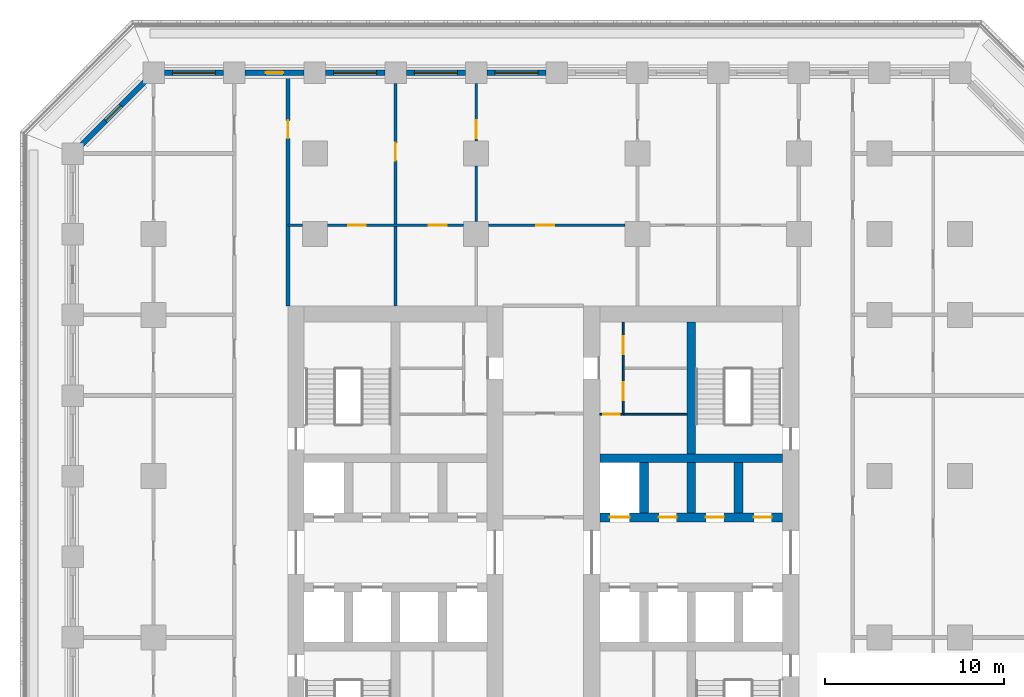
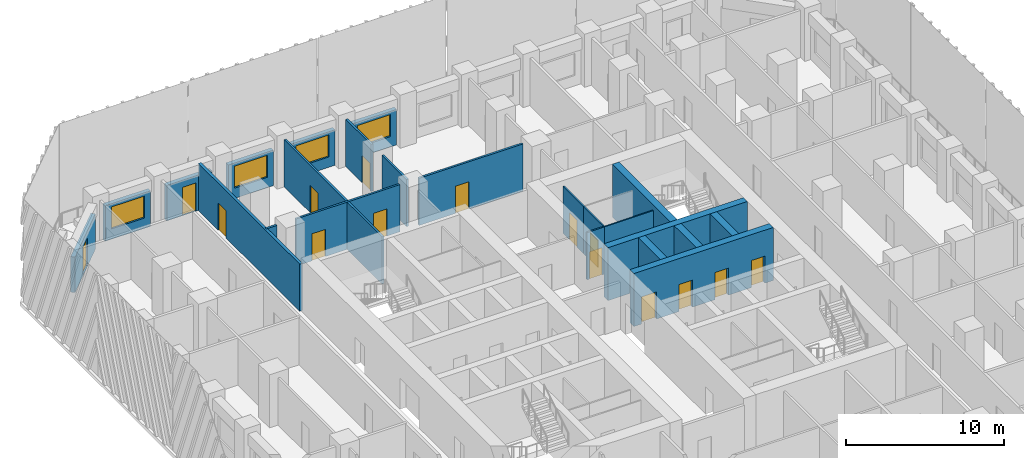
# One storey, part 8 of 20: 23 walls, 15 doors, 4 windows, 19 openings.
"""IFC4 building model written with IfcOpenShell, lengths in metres."""

from ifc_helpers import new_model, si_unit, direction, frame, frame_2d, origin, place, context, subcontext, project, spatial, rectangle, extrude, material, layer, layer_set, type_object, element, fill, save


model = new_model("IFC4")

# Units and contexts
model_context = context("Model", 3, precision=1e-05, world=origin(), true_north=direction((0.0, 1.0)))
body_context = subcontext(model_context, "Body", "Model", "MODEL_VIEW")
ifc_project = project(units=[si_unit("LENGTHUNIT", "METRE"), si_unit("AREAUNIT", "SQUARE_METRE"), si_unit("VOLUMEUNIT", "CUBIC_METRE"), si_unit("PLANEANGLEUNIT", "RADIAN"), si_unit("MASSUNIT", "GRAM", prefix="KILO")], contexts=[model_context])

# Site, building, storey
site_placement = place(None, origin())
site = spatial("IfcSite", under=ifc_project, at=site_placement, CompositionType="ELEMENT")
building_placement = place(site_placement, origin())
building = spatial("IfcBuilding", under=site, at=building_placement, Name="Corbel Stack Research Tower", CompositionType="ELEMENT")
storey_placement = place(building_placement, frame((0.0, 0.0, 98.39990234375)))
storey = spatial("IfcBuildingStorey", under=building, at=storey_placement, Name="L22", CompositionType="ELEMENT", Elevation=98.39990234375)

# Wall, openings, doors
ifc_material_1 = material(Name="Concrete C70/85", Category="concrete")
ifc_layer_1 = layer(ifc_material_1, 0.5)
ifc_layer_set_1 = layer_set([ifc_layer_1], Name="Concrete C70/85")
wall_type_1 = type_object("IfcWallType", Name="CW-500-70", PredefinedType="SHEAR", material=ifc_layer_set_1)
wall_1_placement = place(storey_placement, frame((6.89990234375, 6.699951171875, 0.0), z_axis=(0.0, 0.0, 1.0), x_axis=(1.0, 0.0, 0.0)))
wall_1 = element("IfcWall", 1, at=wall_1_placement, inside=storey, type_object=wall_type_1, Name="East core wall, lobby north L22", PredefinedType="SHEAR", context=body_context, shape_type="SweptSolid", body=[
    extrude(rectangle(XDim=10.2001953125, YDim=0.5, at=frame_2d((5.10009765625, 0.0))), origin(), (0.0, 0.0, 1.0), 4.10009765625),
])
opening_1_placement = place(wall_1_placement, frame((0.5625, 0.0, 0.0)))
opening_1 = element("IfcOpeningElement", 2, at=opening_1_placement, cuts=wall_1, Name="Opening LD-LR4", PredefinedType="OPENING", context=body_context, shape_type="SweptSolid", body=[
    extrude(rectangle(XDim=1.10009765625, YDim=2.10009765625, at=frame_2d((0.550048828125, 1.050048828125))), frame((0.0, 0.260009765625, 0.0), z_axis=(0.0, -1.0, 0.0), x_axis=(1.0, 0.0, 0.0)), (0.0, 0.0, 1.0), 0.52001953125),
])
opening_2_placement = place(wall_1_placement, frame((3.28759765625, 0.0, 0.0)))
opening_2 = element("IfcOpeningElement", 3, at=opening_2_placement, cuts=wall_1, Name="Opening CR-E24-N2", PredefinedType="OPENING", context=body_context, shape_type="SweptSolid", body=[
    extrude(rectangle(XDim=1.0, YDim=2.10009765625, at=frame_2d((0.5, 1.050048828125))), frame((0.0, 0.260009765625, 0.0), z_axis=(0.0, -1.0, 0.0), x_axis=(1.0, 0.0, 0.0)), (0.0, 0.0, 1.0), 0.52001953125),
])
opening_3_placement = place(wall_1_placement, frame((5.91259765625, 0.0, 0.0)))
opening_3 = element("IfcOpeningElement", 4, at=opening_3_placement, cuts=wall_1, Name="Opening CR-E24-N3", PredefinedType="OPENING", context=body_context, shape_type="SweptSolid", body=[
    extrude(rectangle(XDim=1.0, YDim=2.10009765625, at=frame_2d((0.5, 1.050048828125))), frame((0.0, 0.260009765625, 0.0), z_axis=(0.0, -1.0, 0.0), x_axis=(1.0, 0.0, 0.0)), (0.0, 0.0, 1.0), 0.52001953125),
])
opening_4_placement = place(wall_1_placement, frame((8.58740234375, 0.0, 0.0)))
opening_4 = element("IfcOpeningElement", 5, at=opening_4_placement, cuts=wall_1, Name="Opening CR-E24-N4", PredefinedType="OPENING", context=body_context, shape_type="SweptSolid", body=[
    extrude(rectangle(XDim=1.0, YDim=2.10009765625, at=frame_2d((0.5, 1.050048828125))), frame((0.0, 0.260009765625, 0.0), z_axis=(0.0, -1.0, 0.0), x_axis=(1.0, 0.0, 0.0)), (0.0, 0.0, 1.0), 0.52001953125),
])
ifc_material_2 = material(Name="Stainless steel landing door", Category="steel")
door_type_1 = type_object("IfcDoorType", Name="Lift landing door 1100 x 2100", OperationType="DOUBLE_DOOR_SLIDING", PredefinedType="DOOR", material=ifc_material_2)
door_1_placement = place(opening_1_placement, origin())
door_1 = element("IfcDoor", 6, at=door_1_placement, inside=storey, type_object=door_type_1, Name="Landing door LR4", OperationType="DOUBLE_DOOR_SLIDING", OverallHeight=2.10009765625, OverallWidth=1.10009765625, PredefinedType="DOOR", context=body_context, shape_type="SweptSolid", body=[
    extrude(rectangle(XDim=1.10009765625, YDim=2.10009765625, at=frame_2d((0.550048828125, 1.050048828125))), frame((0.0, 0.02490234375, 0.0), z_axis=(0.0, -1.0, 0.0), x_axis=(1.0, 0.0, 0.0)), (0.0, 0.0, 1.0), 0.050048828125),
])
fill(opening_1, door_1)
ifc_material_3 = material(Name="Painted steel door", Category="steel")
door_type_2 = type_object("IfcDoorType", Name="Service door 1000 x 2100 FD60 left hand", OperationType="SINGLE_SWING_LEFT", PredefinedType="DOOR", material=ifc_material_3)
door_2_placement = place(opening_3_placement, origin())
door_2 = element("IfcDoor", 7, at=door_2_placement, inside=storey, type_object=door_type_2, Name="Electrical room door E core", OperationType="SINGLE_SWING_LEFT", OverallHeight=2.10009765625, OverallWidth=1.0, PredefinedType="DOOR", context=body_context, shape_type="SweptSolid", body=[
    extrude(rectangle(XDim=1.0, YDim=2.10009765625, at=frame_2d((0.5, 1.050048828125))), frame((0.0, 0.02490234375, 0.0), z_axis=(0.0, -1.0, 0.0), x_axis=(1.0, 0.0, 0.0)), (0.0, 0.0, 1.0), 0.050048828125),
])
fill(opening_3, door_2)
ifc_material_4 = material(Name="Painted steel door", Category="steel")
door_type_3 = type_object("IfcDoorType", Name="Service door 1000 x 2100 FD60 right hand", OperationType="SINGLE_SWING_RIGHT", PredefinedType="DOOR", material=ifc_material_4)
door_3_placement = place(opening_2_placement, origin())
door_3 = element("IfcDoor", 8, at=door_3_placement, inside=storey, type_object=door_type_3, Name="Records store door E core", OperationType="SINGLE_SWING_RIGHT", OverallHeight=2.10009765625, OverallWidth=1.0, PredefinedType="DOOR", context=body_context, shape_type="SweptSolid", body=[
    extrude(rectangle(XDim=1.0, YDim=2.10009765625, at=frame_2d((0.5, 1.050048828125))), frame((0.0, 0.02490234375, 0.0), z_axis=(0.0, -1.0, 0.0), x_axis=(1.0, 0.0, 0.0)), (0.0, 0.0, 1.0), 0.050048828125),
])
fill(opening_2, door_3)
door_4_placement = place(opening_4_placement, origin())
door_4 = element("IfcDoor", 9, at=door_4_placement, inside=storey, type_object=door_type_3, Name="Pantry door E core", OperationType="SINGLE_SWING_RIGHT", OverallHeight=2.10009765625, OverallWidth=1.0, PredefinedType="DOOR", context=body_context, shape_type="SweptSolid", body=[
    extrude(rectangle(XDim=1.0, YDim=2.10009765625, at=frame_2d((0.5, 1.050048828125))), frame((0.0, 0.02490234375, 0.0), z_axis=(0.0, -1.0, 0.0), x_axis=(1.0, 0.0, 0.0)), (0.0, 0.0, 1.0), 0.050048828125),
])
fill(opening_4, door_4)

# Walls
wall_2_placement = place(storey_placement, frame((6.89990234375, 10.0, 0.0), z_axis=(0.0, 0.0, 1.0), x_axis=(1.0, 0.0, 0.0)))
element("IfcWall", 10, at=wall_2_placement, inside=storey, type_object=wall_type_1, Name="East core wall, north row back L22", PredefinedType="SHEAR", context=body_context, shape_type="SweptSolid", body=[
    extrude(rectangle(XDim=10.2001953125, YDim=0.5, at=frame_2d((5.10009765625, 0.0))), origin(), (0.0, 0.0, 1.0), 4.10009765625),
])
for number, where, z_axis, x_axis, name in (
    (11, (9.375, 6.949951171875, 0.0), (0.0, 0.0, 1.0), (0.0, 1.0, 0.0), "East core wall, north shaft 1 L22"),
    (12, (12.0, 6.949951171875, 0.0), (0.0, 0.0, 1.0), (0.0, 1.0, 0.0), "East core wall, north shaft 2 L22"),
    (13, (14.625, 6.949951171875, 0.0), (0.0, 0.0, 1.0), (0.0, 1.0, 0.0), "East core wall, north shaft 3 L22"),
):
    element("IfcWall", number, at=place(storey_placement, frame(where, z_axis=z_axis, x_axis=x_axis)), inside=storey, type_object=wall_type_1, Name=name, PredefinedType="SHEAR", context=body_context, shape_type="SweptSolid", body=[
        extrude(rectangle(XDim=2.800048828125, YDim=0.5, at=frame_2d((1.39990234375, 0.0))), origin(), (0.0, 0.0, 1.0), 4.10009765625),
    ])
wall_3_placement = place(storey_placement, frame((12.0, 10.25, 0.0), z_axis=(0.0, 0.0, 1.0), x_axis=(0.0, 1.0, 0.0)))
element("IfcWall", 14, at=wall_3_placement, inside=storey, type_object=wall_type_1, Name="East core wall, north stair and riser L22", PredefinedType="SHEAR", context=body_context, shape_type="SweptSolid", body=[
    extrude(rectangle(XDim=7.35009765625, YDim=0.5, at=frame_2d((3.675048828125, 0.0))), origin(), (0.0, 0.0, 1.0), 4.10009765625),
])

# Wall, opening, door
ifc_material_5 = material(Name="Gypsum board")
ifc_layer_2 = layer(ifc_material_5, 0.10009765625)
ifc_layer_set_2 = layer_set([ifc_layer_2], Name="Gypsum board")
wall_type_2 = type_object("IfcWallType", Name="Core partition 100", PredefinedType="PARTITIONING", material=ifc_layer_set_2)
wall_4_placement = place(storey_placement, frame((6.89990234375, 12.455078125, 0.0), z_axis=(0.0, 0.0, 1.0), x_axis=(1.0, 0.0, 0.0)))
wall_4 = element("IfcWall", 15, at=wall_4_placement, inside=storey, type_object=wall_type_2, Name="Core partition E", PredefinedType="PARTITIONING", context=body_context, shape_type="SweptSolid", body=[
    extrude(rectangle(XDim=1.300048828125, YDim=0.10009765625, at=frame_2d((0.64990234375, 0.0))), origin(), (0.0, 0.0, 1.0), 3.650146484375),
])
opening_5_placement = place(wall_4_placement, frame((0.199951171875, 0.0, 0.0)))
opening_5 = element("IfcOpeningElement", 16, at=opening_5_placement, cuts=wall_4, Name="Opening CR-E24-R1-900", PredefinedType="OPENING", context=body_context, shape_type="SweptSolid", body=[
    extrude(rectangle(XDim=0.89990234375, YDim=2.10009765625, at=frame_2d((0.449951171875, 1.050048828125))), frame((0.0, 0.06005859375, 0.0), z_axis=(0.0, -1.0, 0.0), x_axis=(1.0, 0.0, 0.0)), (0.0, 0.0, 1.0), 0.1201171875),
])
ifc_material_6 = material(Name="Painted steel door", Category="steel")
door_type_4 = type_object("IfcDoorType", Name="Riser door 900 x 2100 FD60 right hand", OperationType="SINGLE_SWING_RIGHT", PredefinedType="DOOR", material=ifc_material_6)
door_5_placement = place(opening_5_placement, origin())
door_5 = element("IfcDoor", 17, at=door_5_placement, inside=storey, type_object=door_type_4, Name="Electrical riser door E core", OperationType="SINGLE_SWING_RIGHT", OverallHeight=2.10009765625, OverallWidth=0.89990234375, PredefinedType="DOOR", context=body_context, shape_type="SweptSolid", body=[
    extrude(rectangle(XDim=0.89990234375, YDim=2.10009765625, at=frame_2d((0.449951171875, 1.050048828125))), frame((0.0, 0.02490234375, 0.0), z_axis=(0.0, -1.0, 0.0), x_axis=(1.0, 0.0, 0.0)), (0.0, 0.0, 1.0), 0.050048828125),
])
fill(opening_5, door_5)

# Wall
wall_5_placement = place(storey_placement, frame((8.199951171875, 12.455078125, 0.0), z_axis=(0.0, 0.0, 1.0), x_axis=(1.0, 0.0, 0.0)))
element("IfcWall", 18, at=wall_5_placement, inside=storey, type_object=wall_type_2, Name="Core partition E", PredefinedType="PARTITIONING", context=body_context, shape_type="SweptSolid", body=[
    extrude(rectangle(XDim=3.550048828125, YDim=0.10009765625, at=frame_2d((1.77490234375, 0.0))), origin(), (0.0, 0.0, 1.0), 3.650146484375),
])

# Wall, opening, door
wall_6_placement = place(storey_placement, frame((8.199951171875, 12.455078125, 0.0), z_axis=(0.0, 0.0, 1.0), x_axis=(0.0, 1.0, 0.0)))
wall_6 = element("IfcWall", 19, at=wall_6_placement, inside=storey, type_object=wall_type_2, Name="Core partition E", PredefinedType="PARTITIONING", context=body_context, shape_type="SweptSolid", body=[
    extrude(rectangle(XDim=2.572509765625, YDim=0.10009765625, at=frame_2d((1.2861328125, 0.0))), origin(), (0.0, 0.0, 1.0), 3.650146484375),
])
opening_6_placement = place(wall_6_placement, frame((0.786376953125, 0.0, 0.0)))
opening_6 = element("IfcOpeningElement", 20, at=opening_6_placement, cuts=wall_6, Name="Opening CR-E24-R3-1000", PredefinedType="OPENING", context=body_context, shape_type="SweptSolid", body=[
    extrude(rectangle(XDim=1.0, YDim=2.10009765625, at=frame_2d((0.5, 1.050048828125))), frame((0.0, 0.06005859375, 0.0), z_axis=(0.0, -1.0, 0.0), x_axis=(1.0, 0.0, 0.0)), (0.0, 0.0, 1.0), 0.1201171875),
])
ifc_material_7 = material(Name="Painted steel door", Category="steel")
door_type_5 = type_object("IfcDoorType", Name="Service door 1000 x 2100 FD30 right hand", OperationType="SINGLE_SWING_RIGHT", PredefinedType="DOOR", material=ifc_material_7)
door_6_placement = place(opening_6_placement, origin())
door_6 = element("IfcDoor", 21, at=door_6_placement, inside=storey, type_object=door_type_5, Name="Pantry door E core", OperationType="SINGLE_SWING_RIGHT", OverallHeight=2.10009765625, OverallWidth=1.0, PredefinedType="DOOR", context=body_context, shape_type="SweptSolid", body=[
    extrude(rectangle(XDim=1.0, YDim=2.10009765625, at=frame_2d((0.5, 1.050048828125))), frame((0.0, 0.02490234375, 0.0), z_axis=(0.0, -1.0, 0.0), x_axis=(1.0, 0.0, 0.0)), (0.0, 0.0, 1.0), 0.050048828125),
])
fill(opening_6, door_6)

wall_7_placement = place(storey_placement, frame((8.199951171875, 15.027587890625, 0.0), z_axis=(0.0, 0.0, 1.0), x_axis=(0.0, 1.0, 0.0)))
wall_7 = element("IfcWall", 22, at=wall_7_placement, inside=storey, type_object=wall_type_2, Name="Core partition E", PredefinedType="PARTITIONING", context=body_context, shape_type="SweptSolid", body=[
    extrude(rectangle(XDim=2.572509765625, YDim=0.10009765625, at=frame_2d((1.2861328125, 0.0))), origin(), (0.0, 0.0, 1.0), 3.650146484375),
])
opening_7_placement = place(wall_7_placement, frame((0.7861328125, 0.0, 0.0)))
opening_7 = element("IfcOpeningElement", 23, at=opening_7_placement, cuts=wall_7, Name="Opening CR-E24-R4-1000", PredefinedType="OPENING", context=body_context, shape_type="SweptSolid", body=[
    extrude(rectangle(XDim=1.0, YDim=2.10009765625, at=frame_2d((0.5, 1.050048828125))), frame((0.0, 0.06005859375, 0.0), z_axis=(0.0, -1.0, 0.0), x_axis=(1.0, 0.0, 0.0)), (0.0, 0.0, 1.0), 0.1201171875),
])
ifc_material_8 = material(Name="Painted steel door", Category="steel")
door_type_6 = type_object("IfcDoorType", Name="Service door 1000 x 2100 FD30 left hand", OperationType="SINGLE_SWING_LEFT", PredefinedType="DOOR", material=ifc_material_8)
door_7_placement = place(opening_7_placement, origin())
door_7 = element("IfcDoor", 24, at=door_7_placement, inside=storey, type_object=door_type_6, Name="Copy and supply store door E core", OperationType="SINGLE_SWING_LEFT", OverallHeight=2.10009765625, OverallWidth=1.0, PredefinedType="DOOR", context=body_context, shape_type="SweptSolid", body=[
    extrude(rectangle(XDim=1.0, YDim=2.10009765625, at=frame_2d((0.5, 1.050048828125))), frame((0.0, 0.02490234375, 0.0), z_axis=(0.0, -1.0, 0.0), x_axis=(1.0, 0.0, 0.0)), (0.0, 0.0, 1.0), 0.050048828125),
])
fill(opening_7, door_7)

ifc_material_9 = material(Name="Fire-rated gypsum board partition on steel studs", Category="steel")
ifc_layer_3 = layer(ifc_material_9, 0.14990234375)
ifc_layer_set_3 = layer_set([ifc_layer_3], Name="Fire-rated gypsum board partition on steel studs")
wall_type_3 = type_object("IfcWallType", Name="Fire-rated partition 150 EI 60", PredefinedType="PARTITIONING", material=ifc_layer_set_3)
wall_8_placement = place(storey_placement, frame((-4.5, 30.89990234375, 0.0), z_axis=(0.0, 0.0, 1.0), x_axis=(0.0, -1.0, 0.0)))
wall_8 = element("IfcWall", 25, at=wall_8_placement, inside=storey, type_object=wall_type_3, Name="Partition L22-011", PredefinedType="PARTITIONING", context=body_context, shape_type="SweptSolid", body=[
    extrude(rectangle(XDim=12.39990234375, YDim=0.14990234375, at=frame_2d((6.199951171875, 0.0))), origin(), (0.0, 0.0, 1.0), 3.650146484375),
])
opening_8_placement = place(wall_8_placement, frame((3.300048828125, 0.0, 0.0)))
opening_8 = element("IfcOpeningElement", 26, at=opening_8_placement, cuts=wall_8, Name="Opening B3V2-026", PredefinedType="OPENING", context=body_context, shape_type="SweptSolid", body=[
    extrude(rectangle(XDim=1.0, YDim=2.10009765625, at=frame_2d((0.5, 1.050048828125))), frame((0.0, 0.0849609375, 0.0), z_axis=(0.0, -1.0, 0.0), x_axis=(1.0, 0.0, 0.0)), (0.0, 0.0, 1.0), 0.169921875),
])
ifc_material_10 = material(Name="Painted steel fire door", Category="steel")
door_type_7 = type_object("IfcDoorType", Name="Fire door FD30S 1000 x 2100", OperationType="NOTDEFINED", PredefinedType="DOOR", material=ifc_material_10)
door_8_placement = place(opening_8_placement, origin())
door_8 = element("IfcDoor", 27, at=door_8_placement, inside=storey, type_object=door_type_7, Name="Door B3V2-026", OperationType="SINGLE_SWING_LEFT", OverallHeight=2.10009765625, OverallWidth=1.0, PredefinedType="DOOR", context=body_context, shape_type="SweptSolid", body=[
    extrude(rectangle(XDim=1.0, YDim=2.10009765625, at=frame_2d((0.5, 1.050048828125))), frame((0.0, 0.02490234375, 0.0), z_axis=(0.0, -1.0, 0.0), x_axis=(1.0, 0.0, 0.0)), (0.0, 0.0, 1.0), 0.050048828125),
])
fill(opening_8, door_8)

wall_9_placement = place(storey_placement, frame((0.0, 30.89990234375, 0.0), z_axis=(0.0, 0.0, 1.0), x_axis=(0.0, -1.0, 0.0)))
wall_9 = element("IfcWall", 28, at=wall_9_placement, inside=storey, type_object=wall_type_3, Name="Partition L22-014", PredefinedType="PARTITIONING", context=body_context, shape_type="SweptSolid", body=[
    extrude(rectangle(XDim=3.199951171875, YDim=0.14990234375, at=frame_2d((1.60009765625, 0.0))), origin(), (0.0, 0.0, 1.0), 3.650146484375),
])
opening_9_placement = place(wall_9_placement, frame((2.050048828125, 0.0, 0.0)))
opening_9 = element("IfcOpeningElement", 29, at=opening_9_placement, cuts=wall_9, Name="Opening B3V2-027", PredefinedType="OPENING", context=body_context, shape_type="SweptSolid", body=[
    extrude(rectangle(XDim=1.0, YDim=2.10009765625, at=frame_2d((0.5, 1.050048828125))), frame((0.0, 0.0849609375, 0.0), z_axis=(0.0, -1.0, 0.0), x_axis=(1.0, 0.0, 0.0)), (0.0, 0.0, 1.0), 0.169921875),
])
door_9_placement = place(opening_9_placement, origin())
door_9 = element("IfcDoor", 30, at=door_9_placement, inside=storey, type_object=door_type_7, Name="Door B3V2-027", OperationType="SINGLE_SWING_RIGHT", OverallHeight=2.10009765625, OverallWidth=1.0, PredefinedType="DOOR", context=body_context, shape_type="SweptSolid", body=[
    extrude(rectangle(XDim=1.0, YDim=2.10009765625, at=frame_2d((0.5, 1.050048828125))), frame((0.0, 0.02490234375, 0.0), z_axis=(0.0, -1.0, 0.0), x_axis=(1.0, 0.0, 0.0)), (0.0, 0.0, 1.0), 0.050048828125),
])
fill(opening_9, door_9)

ifc_material_11 = material(Name="Fire-rated gypsum board partition on steel studs", Category="steel")
ifc_layer_4 = layer(ifc_material_11, 0.199951171875)
ifc_layer_set_4 = layer_set([ifc_layer_4], Name="Fire-rated gypsum board partition on steel studs")
wall_type_4 = type_object("IfcWallType", Name="Fire-rated partition 200 EI 60", PredefinedType="PARTITIONING", material=ifc_layer_set_4)
wall_10_placement = place(storey_placement, frame((-10.5, 31.35009765625, 0.0), z_axis=(0.0, 0.0, 1.0), x_axis=(0.0, -1.0, 0.0)))
wall_10 = element("IfcWall", 31, at=wall_10_placement, inside=storey, type_object=wall_type_4, Name="Partition L22-009", PredefinedType="PARTITIONING", context=body_context, shape_type="SweptSolid", body=[
    extrude(rectangle(XDim=12.85009765625, YDim=0.199951171875, at=frame_2d((6.425048828125, 0.0))), origin(), (0.0, 0.0, 1.0), 3.650146484375),
])
opening_10_placement = place(wall_10_placement, frame((2.5, 0.0, 0.0)))
opening_10 = element("IfcOpeningElement", 32, at=opening_10_placement, cuts=wall_10, Name="Opening B3V2-023", PredefinedType="OPENING", context=body_context, shape_type="SweptSolid", body=[
    extrude(rectangle(XDim=1.0, YDim=2.10009765625, at=frame_2d((0.5, 1.050048828125))), frame((0.0, 0.10986328125, 0.0), z_axis=(0.0, -1.0, 0.0), x_axis=(1.0, 0.0, 0.0)), (0.0, 0.0, 1.0), 0.219970703125),
])
door_10_placement = place(opening_10_placement, origin())
door_10 = element("IfcDoor", 33, at=door_10_placement, inside=storey, type_object=door_type_7, Name="Door B3V2-023", OperationType="SINGLE_SWING_LEFT", OverallHeight=2.10009765625, OverallWidth=1.0, PredefinedType="DOOR", context=body_context, shape_type="SweptSolid", body=[
    extrude(rectangle(XDim=1.0, YDim=2.10009765625, at=frame_2d((0.5, 1.050048828125))), frame((0.0, 0.02490234375, 0.0), z_axis=(0.0, -1.0, 0.0), x_axis=(1.0, 0.0, 0.0)), (0.0, 0.0, 1.0), 0.050048828125),
])
fill(opening_10, door_10)

# Walls
ifc_material_12 = material(Name="Gypsum board partition on steel studs", Category="steel")
ifc_layer_5 = layer(ifc_material_12, 0.14990234375)
ifc_layer_set_5 = layer_set([ifc_layer_5], Name="Gypsum board partition on steel studs")
wall_type_5 = type_object("IfcWallType", Name="Partition 150", PredefinedType="PARTITIONING", material=ifc_layer_set_5)
wall_11_placement = place(storey_placement, frame((0.0, 23.199951171875, 0.0), z_axis=(0.0, 0.0, 1.0), x_axis=(0.0, 1.0, 0.0)))
element("IfcWall", 34, at=wall_11_placement, inside=storey, type_object=wall_type_5, Name="Partition L22-013", PredefinedType="PARTITIONING", context=body_context, shape_type="SweptSolid", body=[
    extrude(rectangle(XDim=3.10009765625, YDim=0.14990234375, at=frame_2d((1.550048828125, 0.0))), origin(), (0.0, 0.0, 1.0), 3.650146484375),
])
wall_12_placement = place(storey_placement, frame((-10.5, 23.0, 0.0), z_axis=(0.0, 0.0, 1.0), x_axis=(1.0, 0.0, 0.0)))
element("IfcWall", 35, at=wall_12_placement, inside=storey, type_object=wall_type_5, Name="Partition L22-055", PredefinedType="PARTITIONING", context=body_context, shape_type="SweptSolid", body=[
    extrude(rectangle(XDim=0.800048828125, YDim=0.14990234375, at=frame_2d((0.39990234375, 0.0))), origin(), (0.0, 0.0, 1.0), 3.650146484375),
])

# Wall, openings, doors
wall_13_placement = place(storey_placement, frame((-0.699951171875, 23.0, 0.0), z_axis=(0.0, 0.0, 1.0), x_axis=(-1.0, 0.0, 0.0)))
wall_13 = element("IfcWall", 36, at=wall_13_placement, inside=storey, type_object=wall_type_5, Name="Partition L22-056", PredefinedType="PARTITIONING", context=body_context, shape_type="SweptSolid", body=[
    extrude(rectangle(XDim=7.60009765625, YDim=0.14990234375, at=frame_2d((3.800048828125, 0.0))), origin(), (0.0, 0.0, 1.0), 3.650146484375),
])
opening_11_placement = place(wall_13_placement, frame((5.449951171875, 0.0, 0.0)))
opening_11 = element("IfcOpeningElement", 37, at=opening_11_placement, cuts=wall_13, Name="Opening B3V2-042", PredefinedType="OPENING", context=body_context, shape_type="SweptSolid", body=[
    extrude(rectangle(XDim=1.0, YDim=2.10009765625, at=frame_2d((0.5, 1.050048828125))), frame((0.0, 0.0849609375, 0.0), z_axis=(0.0, -1.0, 0.0), x_axis=(1.0, 0.0, 0.0)), (0.0, 0.0, 1.0), 0.169921875),
])
opening_12_placement = place(wall_13_placement, frame((0.949951171875, 0.0, 0.0)))
opening_12 = element("IfcOpeningElement", 38, at=opening_12_placement, cuts=wall_13, Name="Opening B3V2-043", PredefinedType="OPENING", context=body_context, shape_type="SweptSolid", body=[
    extrude(rectangle(XDim=1.0, YDim=2.10009765625, at=frame_2d((0.5, 1.050048828125))), frame((0.0, 0.0849609375, 0.0), z_axis=(0.0, -1.0, 0.0), x_axis=(1.0, 0.0, 0.0)), (0.0, 0.0, 1.0), 0.169921875),
])
ifc_material_13 = material(Name="Painted timber door", Category="wood")
door_type_8 = type_object("IfcDoorType", Name="Single door 1000 x 2100", OperationType="NOTDEFINED", PredefinedType="DOOR", material=ifc_material_13)
door_11_placement = place(opening_11_placement, origin())
door_11 = element("IfcDoor", 39, at=door_11_placement, inside=storey, type_object=door_type_8, Name="Door B3V2-042", OperationType="SINGLE_SWING_RIGHT", OverallHeight=2.10009765625, OverallWidth=1.0, PredefinedType="DOOR", context=body_context, shape_type="SweptSolid", body=[
    extrude(rectangle(XDim=1.0, YDim=2.10009765625, at=frame_2d((0.5, 1.050048828125))), frame((0.0, 0.02490234375, 0.0), z_axis=(0.0, -1.0, 0.0), x_axis=(1.0, 0.0, 0.0)), (0.0, 0.0, 1.0), 0.050048828125),
])
fill(opening_11, door_11)
door_12_placement = place(opening_12_placement, origin())
door_12 = element("IfcDoor", 40, at=door_12_placement, inside=storey, type_object=door_type_8, Name="Door B3V2-043", OperationType="SINGLE_SWING_LEFT", OverallHeight=2.10009765625, OverallWidth=1.0, PredefinedType="DOOR", context=body_context, shape_type="SweptSolid", body=[
    extrude(rectangle(XDim=1.0, YDim=2.10009765625, at=frame_2d((0.5, 1.050048828125))), frame((0.0, 0.02490234375, 0.0), z_axis=(0.0, -1.0, 0.0), x_axis=(1.0, 0.0, 0.0)), (0.0, 0.0, 1.0), 0.050048828125),
])
fill(opening_12, door_12)

# Wall, opening, door
wall_14_placement = place(storey_placement, frame((8.300048828125, 23.0, 0.0), z_axis=(0.0, 0.0, 1.0), x_axis=(-1.0, 0.0, 0.0)))
wall_14 = element("IfcWall", 41, at=wall_14_placement, inside=storey, type_object=wall_type_5, Name="Partition L22-057", PredefinedType="PARTITIONING", context=body_context, shape_type="SweptSolid", body=[
    extrude(rectangle(XDim=7.60009765625, YDim=0.14990234375, at=frame_2d((3.800048828125, 0.0))), origin(), (0.0, 0.0, 1.0), 3.650146484375),
])
opening_13_placement = place(wall_14_placement, frame((3.949951171875, 0.0, 0.0)))
opening_13 = element("IfcOpeningElement", 42, at=opening_13_placement, cuts=wall_14, Name="Opening B3V2-044", PredefinedType="OPENING", context=body_context, shape_type="SweptSolid", body=[
    extrude(rectangle(XDim=1.0, YDim=2.10009765625, at=frame_2d((0.5, 1.050048828125))), frame((0.0, 0.0849609375, 0.0), z_axis=(0.0, -1.0, 0.0), x_axis=(1.0, 0.0, 0.0)), (0.0, 0.0, 1.0), 0.169921875),
])
door_13_placement = place(opening_13_placement, origin())
door_13 = element("IfcDoor", 43, at=door_13_placement, inside=storey, type_object=door_type_8, Name="Door B3V2-044", OperationType="SINGLE_SWING_RIGHT", OverallHeight=2.10009765625, OverallWidth=1.0, PredefinedType="DOOR", context=body_context, shape_type="SweptSolid", body=[
    extrude(rectangle(XDim=1.0, YDim=2.10009765625, at=frame_2d((0.5, 1.050048828125))), frame((0.0, 0.02490234375, 0.0), z_axis=(0.0, -1.0, 0.0), x_axis=(1.0, 0.0, 0.0)), (0.0, 0.0, 1.0), 0.050048828125),
])
fill(opening_13, door_13)

# Wall, opening, window
ifc_material_14 = material(Name="Concrete C45/55", Category="concrete")
ifc_layer_6 = layer(ifc_material_14, 0.300048828125)
ifc_layer_set_6 = layer_set([ifc_layer_6], Name="Concrete C45/55")
wall_type_6 = type_object("IfcWallType", Name="Terracotta-faced concrete wall 300", PredefinedType="SOLIDWALL", material=ifc_layer_set_6)
wall_15_placement = place(storey_placement, frame((0.60009765625, 31.5, 0.0), z_axis=(0.0, 0.0, 1.0), x_axis=(1.0, 0.0, 0.0)))
wall_15 = element("IfcWall", 44, at=wall_15_placement, inside=storey, type_object=wall_type_6, Name="Facade wall L22 N06", PredefinedType="SOLIDWALL", context=body_context, shape_type="SweptSolid", body=[
    extrude(rectangle(XDim=3.2998046875, YDim=0.300048828125, at=frame_2d((1.64990234375, 0.0))), origin(), (0.0, 0.0, 1.0), 2.75),
])
opening_14_placement = place(wall_15_placement, frame((0.449951171875, 0.0, 0.800048828125)))
opening_14 = element("IfcOpeningElement", 45, at=opening_14_placement, cuts=wall_15, Name="Opening W1", PredefinedType="OPENING", context=body_context, shape_type="SweptSolid", body=[
    extrude(rectangle(XDim=2.39990234375, YDim=1.699951171875, at=frame_2d((1.199951171875, 0.85009765625))), frame((0.0, 0.159912109375, 0.0), z_axis=(0.0, -1.0, 0.0), x_axis=(1.0, 0.0, 0.0)), (0.0, 0.0, 1.0), 0.320068359375),
])
ifc_material_15 = material(Name="Aluminium frame, clear double glazing", Category="aluminium")
window_type = type_object("IfcWindowType", Name="Window W1 2400 x 1700", PartitioningType="SINGLE_PANEL", PredefinedType="WINDOW", material=ifc_material_15)
window_1_placement = place(opening_14_placement, origin())
window_1 = element("IfcWindow", 46, at=window_1_placement, inside=storey, type_object=window_type, Name="Window W1 L22 N06", OverallHeight=1.699951171875, OverallWidth=2.39990234375, PartitioningType="SINGLE_PANEL", PredefinedType="WINDOW", context=body_context, shape_type="SweptSolid", body=[
    extrude(rectangle(XDim=2.39990234375, YDim=1.699951171875, at=frame_2d((1.199951171875, 0.85009765625))), frame((0.0, 0.030029296875, 0.0), z_axis=(0.0, -1.0, 0.0), x_axis=(1.0, 0.0, 0.0)), (0.0, 0.0, 1.0), 0.06005859375),
])
fill(opening_14, window_1)

wall_16_placement = place(storey_placement, frame((-3.89990234375, 31.5, 0.0), z_axis=(0.0, 0.0, 1.0), x_axis=(1.0, 0.0, 0.0)))
wall_16 = element("IfcWall", 47, at=wall_16_placement, inside=storey, type_object=wall_type_6, Name="Facade wall L22 N07", PredefinedType="SOLIDWALL", context=body_context, shape_type="SweptSolid", body=[
    extrude(rectangle(XDim=3.2998046875, YDim=0.300048828125, at=frame_2d((1.64990234375, 0.0))), origin(), (0.0, 0.0, 1.0), 2.75),
])
opening_15_placement = place(wall_16_placement, frame((0.449951171875, 0.0, 0.800048828125)))
opening_15 = element("IfcOpeningElement", 48, at=opening_15_placement, cuts=wall_16, Name="Opening W1", PredefinedType="OPENING", context=body_context, shape_type="SweptSolid", body=[
    extrude(rectangle(XDim=2.39990234375, YDim=1.699951171875, at=frame_2d((1.199951171875, 0.85009765625))), frame((0.0, 0.159912109375, 0.0), z_axis=(0.0, -1.0, 0.0), x_axis=(1.0, 0.0, 0.0)), (0.0, 0.0, 1.0), 0.320068359375),
])
window_2_placement = place(opening_15_placement, origin())
window_2 = element("IfcWindow", 49, at=window_2_placement, inside=storey, type_object=window_type, Name="Window W1 L22 N07", OverallHeight=1.699951171875, OverallWidth=2.39990234375, PartitioningType="SINGLE_PANEL", PredefinedType="WINDOW", context=body_context, shape_type="SweptSolid", body=[
    extrude(rectangle(XDim=2.39990234375, YDim=1.699951171875, at=frame_2d((1.199951171875, 0.85009765625))), frame((0.0, 0.030029296875, 0.0), z_axis=(0.0, -1.0, 0.0), x_axis=(1.0, 0.0, 0.0)), (0.0, 0.0, 1.0), 0.06005859375),
])
fill(opening_15, window_2)

wall_17_placement = place(storey_placement, frame((-8.39990234375, 31.5, 0.0), z_axis=(0.0, 0.0, 1.0), x_axis=(1.0, 0.0, 0.0)))
wall_17 = element("IfcWall", 50, at=wall_17_placement, inside=storey, type_object=wall_type_6, Name="Facade wall L22 N08", PredefinedType="SOLIDWALL", context=body_context, shape_type="SweptSolid", body=[
    extrude(rectangle(XDim=3.2998046875, YDim=0.300048828125, at=frame_2d((1.64990234375, 0.0))), origin(), (0.0, 0.0, 1.0), 2.75),
])
opening_16_placement = place(wall_17_placement, frame((0.449951171875, 0.0, 0.800048828125)))
opening_16 = element("IfcOpeningElement", 51, at=opening_16_placement, cuts=wall_17, Name="Opening W1", PredefinedType="OPENING", context=body_context, shape_type="SweptSolid", body=[
    extrude(rectangle(XDim=2.39990234375, YDim=1.699951171875, at=frame_2d((1.199951171875, 0.85009765625))), frame((0.0, 0.159912109375, 0.0), z_axis=(0.0, -1.0, 0.0), x_axis=(1.0, 0.0, 0.0)), (0.0, 0.0, 1.0), 0.320068359375),
])
window_3_placement = place(opening_16_placement, origin())
window_3 = element("IfcWindow", 52, at=window_3_placement, inside=storey, type_object=window_type, Name="Window W1 L22 N08", OverallHeight=1.699951171875, OverallWidth=2.39990234375, PartitioningType="SINGLE_PANEL", PredefinedType="WINDOW", context=body_context, shape_type="SweptSolid", body=[
    extrude(rectangle(XDim=2.39990234375, YDim=1.699951171875, at=frame_2d((1.199951171875, 0.85009765625))), frame((0.0, 0.030029296875, 0.0), z_axis=(0.0, -1.0, 0.0), x_axis=(1.0, 0.0, 0.0)), (0.0, 0.0, 1.0), 0.06005859375),
])
fill(opening_16, window_3)

# Wall, opening, door
wall_18_placement = place(storey_placement, frame((-12.89990234375, 31.5, 0.0), z_axis=(0.0, 0.0, 1.0), x_axis=(1.0, 0.0, 0.0)))
wall_18 = element("IfcWall", 53, at=wall_18_placement, inside=storey, type_object=wall_type_6, Name="Facade wall L22 N09", PredefinedType="SOLIDWALL", context=body_context, shape_type="SweptSolid", body=[
    extrude(rectangle(XDim=3.2998046875, YDim=0.300048828125, at=frame_2d((1.64990234375, 0.0))), origin(), (0.0, 0.0, 1.0), 2.75),
])
opening_17_placement = place(wall_18_placement, frame((1.14990234375, 0.0, 0.0)))
opening_17 = element("IfcOpeningElement", 54, at=opening_17_placement, cuts=wall_18, Name="Opening L22-B08", PredefinedType="OPENING", context=body_context, shape_type="SweptSolid", body=[
    extrude(rectangle(XDim=1.0, YDim=2.199951171875, at=frame_2d((0.5, 1.10009765625))), frame((0.0, 0.159912109375, 0.0), z_axis=(0.0, -1.0, 0.0), x_axis=(1.0, 0.0, 0.0)), (0.0, 0.0, 1.0), 0.320068359375),
])
ifc_material_16 = material(Name="Aluminium frame, clear double glazing", Category="aluminium")
door_type_9 = type_object("IfcDoorType", Name="Balcony door BD1 1000 x 2200", OperationType="NOTDEFINED", PredefinedType="DOOR", material=ifc_material_16)
door_14_placement = place(opening_17_placement, origin())
door_14 = element("IfcDoor", 55, at=door_14_placement, inside=storey, type_object=door_type_9, Name="Balcony door L22-B08", OperationType="SINGLE_SWING_LEFT", OverallHeight=2.199951171875, OverallWidth=1.0, PredefinedType="DOOR", context=body_context, shape_type="SweptSolid", body=[
    extrude(rectangle(XDim=1.0, YDim=2.199951171875, at=frame_2d((0.5, 1.10009765625))), frame((0.0, 0.02490234375, 0.0), z_axis=(0.0, -1.0, 0.0), x_axis=(1.0, 0.0, 0.0)), (0.0, 0.0, 1.0), 0.050048828125),
])
fill(opening_17, door_14)

# Wall, opening, window
wall_19_placement = place(storey_placement, frame((-17.39990234375, 31.5, 0.0), z_axis=(0.0, 0.0, 1.0), x_axis=(1.0, 0.0, 0.0)))
wall_19 = element("IfcWall", 56, at=wall_19_placement, inside=storey, type_object=wall_type_6, Name="Facade wall L22 N10", PredefinedType="SOLIDWALL", context=body_context, shape_type="SweptSolid", body=[
    extrude(rectangle(XDim=3.2998046875, YDim=0.300048828125, at=frame_2d((1.64990234375, 0.0))), origin(), (0.0, 0.0, 1.0), 2.75),
])
opening_18_placement = place(wall_19_placement, frame((0.449951171875, 0.0, 0.800048828125)))
opening_18 = element("IfcOpeningElement", 57, at=opening_18_placement, cuts=wall_19, Name="Opening W1", PredefinedType="OPENING", context=body_context, shape_type="SweptSolid", body=[
    extrude(rectangle(XDim=2.39990234375, YDim=1.699951171875, at=frame_2d((1.199951171875, 0.85009765625))), frame((0.0, 0.159912109375, 0.0), z_axis=(0.0, -1.0, 0.0), x_axis=(1.0, 0.0, 0.0)), (0.0, 0.0, 1.0), 0.320068359375),
])
window_4_placement = place(opening_18_placement, origin())
window_4 = element("IfcWindow", 58, at=window_4_placement, inside=storey, type_object=window_type, Name="Window W1 L22 N10", OverallHeight=1.699951171875, OverallWidth=2.39990234375, PartitioningType="SINGLE_PANEL", PredefinedType="WINDOW", context=body_context, shape_type="SweptSolid", body=[
    extrude(rectangle(XDim=2.39990234375, YDim=1.699951171875, at=frame_2d((1.199951171875, 0.85009765625))), frame((0.0, 0.030029296875, 0.0), z_axis=(0.0, -1.0, 0.0), x_axis=(1.0, 0.0, 0.0)), (0.0, 0.0, 1.0), 0.06005859375),
])
fill(opening_18, window_4)

# Wall, opening, door
wall_20_placement = place(storey_placement, frame((-22.006103515625, 27.493896484375, 0.0), z_axis=(0.0, 0.0, 1.0), x_axis=(0.707106781187, 0.707106781187, 0.0)))
wall_20 = element("IfcWall", 59, at=wall_20_placement, inside=storey, type_object=wall_type_6, Name="Facade wall L22 NW01", PredefinedType="SOLIDWALL", context=body_context, shape_type="SweptSolid", body=[
    extrude(rectangle(XDim=4.967041015625, YDim=0.300048828125, at=frame_2d((2.4833984375, 0.0))), origin(), (0.0, 0.0, 1.0), 2.75),
])
opening_19_placement = place(wall_20_placement, frame((1.883544921875, 0.0, 0.0)))
opening_19 = element("IfcOpeningElement", 60, at=opening_19_placement, cuts=wall_20, Name="Opening L22-B09", PredefinedType="OPENING", context=body_context, shape_type="SweptSolid", body=[
    extrude(rectangle(XDim=1.199951171875, YDim=2.199951171875, at=frame_2d((0.60009765625, 1.10009765625))), frame((0.0, 0.159912109375, 0.0), z_axis=(0.0, -1.0, 0.0), x_axis=(1.0, 0.0, 0.0)), (0.0, 0.0, 1.0), 0.320068359375),
])
ifc_material_17 = material(Name="Aluminium frame, clear double glazing", Category="aluminium")
door_type_10 = type_object("IfcDoorType", Name="Balcony door BD2 1200 x 2200", OperationType="NOTDEFINED", PredefinedType="DOOR", material=ifc_material_17)
door_15_placement = place(opening_19_placement, origin())
door_15 = element("IfcDoor", 61, at=door_15_placement, inside=storey, type_object=door_type_10, Name="Balcony door L22-B09", OperationType="SINGLE_SWING_LEFT", OverallHeight=2.199951171875, OverallWidth=1.199951171875, PredefinedType="DOOR", context=body_context, shape_type="SweptSolid", body=[
    extrude(rectangle(XDim=1.199951171875, YDim=2.199951171875, at=frame_2d((0.60009765625, 1.10009765625))), frame((0.0, 0.02490234375, 0.0), z_axis=(0.0, -1.0, 0.0), x_axis=(1.0, 0.0, 0.0)), (0.0, 0.0, 1.0), 0.050048828125),
])
fill(opening_19, door_15)

save(model, "model.ifc")
